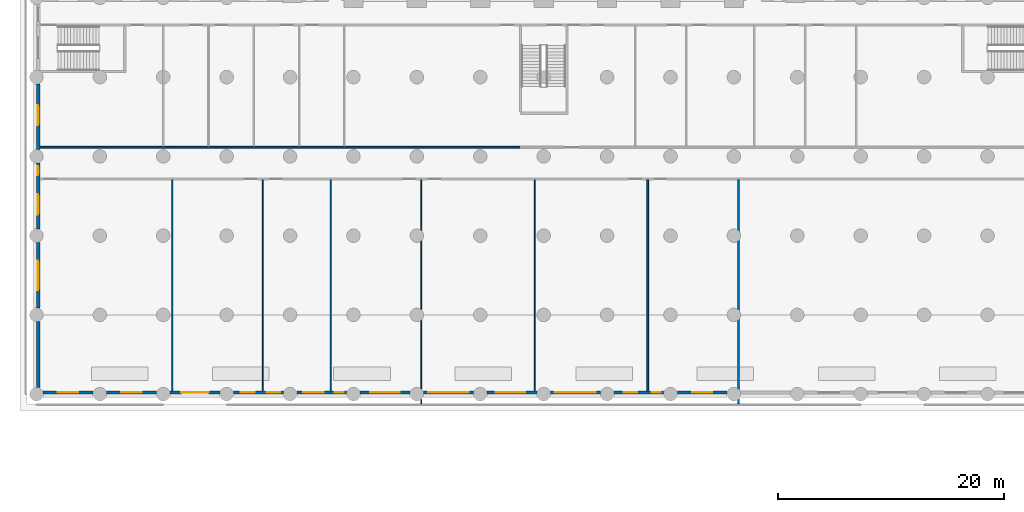
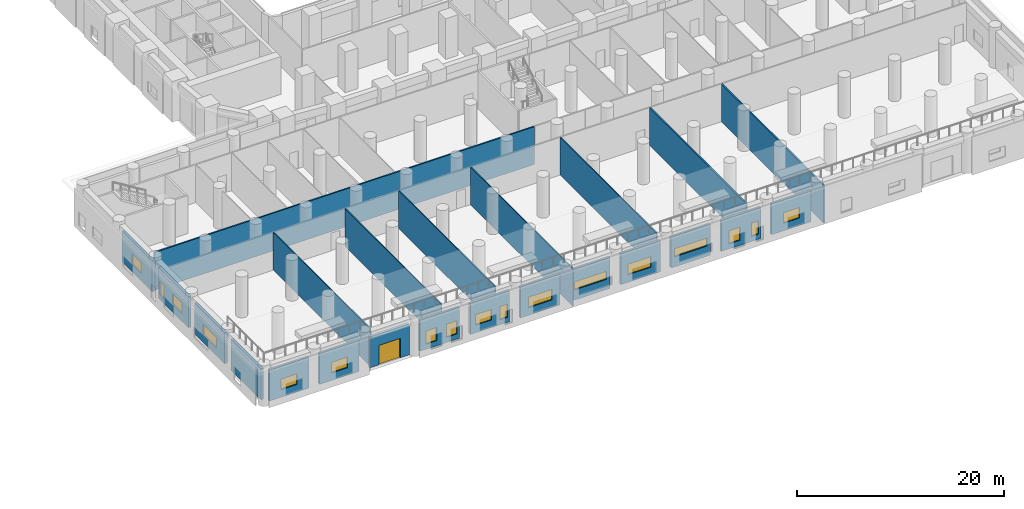
# One storey, part 7 of 27: 23 walls, 17 windows, 1 door, 18 openings.
"""IFC4 building model written with IfcOpenShell, lengths in metres."""

from ifc_helpers import new_model, si_unit, direction, frame, frame_2d, origin, place, context, subcontext, project, spatial, rectangle, extrude, material, layer, layer_set, type_object, element, fill, save


model = new_model("IFC4")

# Units and contexts
model_context = context("Model", 3, precision=1e-05, world=origin(), true_north=direction((0.0, 1.0)))
body_context = subcontext(model_context, "Body", "Model", "MODEL_VIEW")
ifc_project = project(units=[si_unit("LENGTHUNIT", "METRE"), si_unit("AREAUNIT", "SQUARE_METRE"), si_unit("VOLUMEUNIT", "CUBIC_METRE"), si_unit("PLANEANGLEUNIT", "RADIAN"), si_unit("MASSUNIT", "GRAM", prefix="KILO")], contexts=[model_context])

# Site, building, storey
site_placement = place(None, origin())
site = spatial("IfcSite", under=ifc_project, at=site_placement, CompositionType="ELEMENT")
building_placement = place(site_placement, origin())
building = spatial("IfcBuilding", under=site, at=building_placement, Name="Kiln Ring Residences", CompositionType="ELEMENT")
storey_placement = place(building_placement, frame((0.0, 0.0, 6.5)))
storey = spatial("IfcBuildingStorey", under=building, at=storey_placement, Name="L01", CompositionType="ELEMENT", Elevation=6.5)

# Wall, opening, window
ifc_material_1 = material(Name="Brick masonry, dark clay brick", Category="masonry")
ifc_layer_1 = layer(ifc_material_1, 0.300048828125)
ifc_layer_set_1 = layer_set([ifc_layer_1], Name="EW-300 BRICK WALL")
wall_type_1 = type_object("IfcWallType", Name="EW-300 BRICK WALL", PredefinedType="SOLIDWALL", material=ifc_layer_set_1)
wall_1_placement = place(storey_placement, frame((-44.64990234375, -30.0, 0.0), z_axis=(0.0, 0.0, 1.0), x_axis=(0.0, -1.0, 0.0)))
wall_1 = element("IfcWall", 1, at=wall_1_placement, inside=storey, type_object=wall_type_1, Name="Facade wall L01 57", PredefinedType="SOLIDWALL", context=body_context, shape_type="SweptSolid", body=[
    extrude(rectangle(XDim=5.800048828125, YDim=0.300048828125, at=frame_2d((2.89990234375, 0.0))), origin(), (0.0, 0.0, 1.0), 3.64990234375),
])
opening_1_placement = place(wall_1_placement, frame((1.862548828125, 0.0, 0.89990234375)))
opening_1 = element("IfcOpeningElement", 2, at=opening_1_placement, cuts=wall_1, Name="Opening W2", PredefinedType="OPENING", context=body_context, shape_type="SweptSolid", body=[
    extrude(rectangle(XDim=1.800048828125, YDim=1.25, at=frame_2d((0.89990234375, 0.625))), frame((0.0, 0.159912109375, 0.0), z_axis=(0.0, -1.0, 0.0), x_axis=(1.0, 0.0, 0.0)), (0.0, 0.0, 1.0), 0.320068359375),
])
ifc_material_2 = material(Name="Aluminium frame with double glazing", Category="aluminium")
window_type_1 = type_object("IfcWindowType", Name="WINDOW 1800 x 1250", PartitioningType="SINGLE_PANEL", PredefinedType="WINDOW", material=ifc_material_2)
window_1_placement = place(opening_1_placement, origin())
window_1 = element("IfcWindow", 3, at=window_1_placement, inside=storey, type_object=window_type_1, Name="Window L01 29", OverallHeight=1.25, OverallWidth=1.800048828125, PartitioningType="SINGLE_PANEL", PredefinedType="WINDOW", context=body_context, shape_type="SweptSolid", body=[
    extrude(rectangle(XDim=1.800048828125, YDim=1.25, at=frame_2d((0.89990234375, 0.625))), frame((0.0, 0.030029296875, 0.0), z_axis=(0.0, -1.0, 0.0), x_axis=(1.0, 0.0, 0.0)), (0.0, 0.0, 1.0), 0.06005859375),
])
fill(opening_1, window_1)

# Wall, openings, windows
wall_2_placement = place(storey_placement, frame((-44.64990234375, -37.0, 0.0), z_axis=(0.0, 0.0, 1.0), x_axis=(0.0, -1.0, 0.0)))
wall_2 = element("IfcWall", 4, at=wall_2_placement, inside=storey, type_object=wall_type_1, Name="Facade wall L01 58", PredefinedType="SOLIDWALL", context=body_context, shape_type="SweptSolid", body=[
    extrude(rectangle(XDim=5.800048828125, YDim=0.300048828125, at=frame_2d((2.89990234375, 0.0))), origin(), (0.0, 0.0, 1.0), 3.64990234375),
])
opening_2_placement = place(wall_2_placement, frame((0.262451171875, 0.0, 0.60009765625)))
opening_2 = element("IfcOpeningElement", 5, at=opening_2_placement, cuts=wall_2, Name="Opening W5", PredefinedType="OPENING", context=body_context, shape_type="SweptSolid", body=[
    extrude(rectangle(XDim=0.800048828125, YDim=1.550048828125, at=frame_2d((0.39990234375, 0.77490234375))), frame((0.0, 0.159912109375, 0.0), z_axis=(0.0, -1.0, 0.0), x_axis=(1.0, 0.0, 0.0)), (0.0, 0.0, 1.0), 0.320068359375),
])
opening_3_placement = place(wall_2_placement, frame((2.737548828125, 0.0, 0.89990234375)))
opening_3 = element("IfcOpeningElement", 6, at=opening_3_placement, cuts=wall_2, Name="Opening W2", PredefinedType="OPENING", context=body_context, shape_type="SweptSolid", body=[
    extrude(rectangle(XDim=1.800048828125, YDim=1.25, at=frame_2d((0.89990234375, 0.625))), frame((0.0, 0.159912109375, 0.0), z_axis=(0.0, -1.0, 0.0), x_axis=(1.0, 0.0, 0.0)), (0.0, 0.0, 1.0), 0.320068359375),
])
window_2_placement = place(opening_3_placement, origin())
window_2 = element("IfcWindow", 7, at=window_2_placement, inside=storey, type_object=window_type_1, Name="Window L01 31", OverallHeight=1.25, OverallWidth=1.800048828125, PartitioningType="SINGLE_PANEL", PredefinedType="WINDOW", context=body_context, shape_type="SweptSolid", body=[
    extrude(rectangle(XDim=1.800048828125, YDim=1.25, at=frame_2d((0.89990234375, 0.625))), frame((0.0, 0.030029296875, 0.0), z_axis=(0.0, -1.0, 0.0), x_axis=(1.0, 0.0, 0.0)), (0.0, 0.0, 1.0), 0.06005859375),
])
fill(opening_3, window_2)
ifc_material_3 = material(Name="Aluminium frame with double glazing", Category="aluminium")
window_type_2 = type_object("IfcWindowType", Name="WINDOW 800 x 1550", PartitioningType="SINGLE_PANEL", PredefinedType="WINDOW", material=ifc_material_3)
window_3_placement = place(opening_2_placement, origin())
window_3 = element("IfcWindow", 8, at=window_3_placement, inside=storey, type_object=window_type_2, Name="Window L01 30", OverallHeight=1.550048828125, OverallWidth=0.800048828125, PartitioningType="SINGLE_PANEL", PredefinedType="WINDOW", context=body_context, shape_type="SweptSolid", body=[
    extrude(rectangle(XDim=0.800048828125, YDim=1.550048828125, at=frame_2d((0.39990234375, 0.77490234375))), frame((0.0, 0.030029296875, 0.0), z_axis=(0.0, -1.0, 0.0), x_axis=(1.0, 0.0, 0.0)), (0.0, 0.0, 1.0), 0.06005859375),
])
fill(opening_2, window_3)

# Wall, opening, window
wall_3_placement = place(storey_placement, frame((-44.64990234375, -44.0, 0.0), z_axis=(0.0, 0.0, 1.0), x_axis=(0.0, -1.0, 0.0)))
wall_3 = element("IfcWall", 9, at=wall_3_placement, inside=storey, type_object=wall_type_1, Name="Facade wall L01 59", PredefinedType="SOLIDWALL", context=body_context, shape_type="SweptSolid", body=[
    extrude(rectangle(XDim=5.800048828125, YDim=0.300048828125, at=frame_2d((2.89990234375, 0.0))), origin(), (0.0, 0.0, 1.0), 3.64990234375),
])
opening_4_placement = place(wall_3_placement, frame((1.60009765625, 0.0, 0.89990234375)))
opening_4 = element("IfcOpeningElement", 10, at=opening_4_placement, cuts=wall_3, Name="Opening W3", PredefinedType="OPENING", context=body_context, shape_type="SweptSolid", body=[
    extrude(rectangle(XDim=2.60009765625, YDim=1.25, at=frame_2d((1.300048828125, 0.625))), frame((0.0, 0.159912109375, 0.0), z_axis=(0.0, -1.0, 0.0), x_axis=(1.0, 0.0, 0.0)), (0.0, 0.0, 1.0), 0.320068359375),
])
ifc_material_4 = material(Name="Aluminium frame with double glazing", Category="aluminium")
window_type_3 = type_object("IfcWindowType", Name="WINDOW 2600 x 1250", PartitioningType="SINGLE_PANEL", PredefinedType="WINDOW", material=ifc_material_4)
window_4_placement = place(opening_4_placement, origin())
window_4 = element("IfcWindow", 11, at=window_4_placement, inside=storey, type_object=window_type_3, Name="Window L01 32", OverallHeight=1.25, OverallWidth=2.60009765625, PartitioningType="SINGLE_PANEL", PredefinedType="WINDOW", context=body_context, shape_type="SweptSolid", body=[
    extrude(rectangle(XDim=2.60009765625, YDim=1.25, at=frame_2d((1.300048828125, 0.625))), frame((0.0, 0.030029296875, 0.0), z_axis=(0.0, -1.0, 0.0), x_axis=(1.0, 0.0, 0.0)), (0.0, 0.0, 1.0), 0.06005859375),
])
fill(opening_4, window_4)

# Wall
wall_4_placement = place(storey_placement, frame((-44.64990234375, -51.0, 0.0), z_axis=(0.0, 0.0, 1.0), x_axis=(0.0, -1.0, 0.0)))
element("IfcWall", 12, at=wall_4_placement, inside=storey, type_object=wall_type_1, Name="Facade wall L01 60", PredefinedType="SOLIDWALL", context=body_context, shape_type="SweptSolid", body=[
    extrude(rectangle(XDim=5.800048828125, YDim=0.300048828125, at=frame_2d((2.89990234375, 0.0))), origin(), (0.0, 0.0, 1.0), 3.64990234375),
])

# Wall, opening, window
wall_5_placement = place(storey_placement, frame((-44.199951171875, -57.25, 0.0), z_axis=(0.0, 0.0, 1.0), x_axis=(1.0, 0.0, 0.0)))
wall_5 = element("IfcWall", 13, at=wall_5_placement, inside=storey, type_object=wall_type_1, Name="Facade wall L01 61", PredefinedType="SOLIDWALL", context=body_context, shape_type="SweptSolid", body=[
    extrude(rectangle(XDim=4.39990234375, YDim=0.300048828125, at=frame_2d((2.199951171875, 0.0))), origin(), (0.0, 0.0, 1.0), 3.64990234375),
])
opening_5_placement = place(wall_5_placement, frame((1.300048828125, 0.0, 0.89990234375)))
opening_5 = element("IfcOpeningElement", 14, at=opening_5_placement, cuts=wall_5, Name="Opening W2", PredefinedType="OPENING", context=body_context, shape_type="SweptSolid", body=[
    extrude(rectangle(XDim=1.800048828125, YDim=1.25, at=frame_2d((0.89990234375, 0.625))), frame((0.0, 0.159912109375, 0.0), z_axis=(0.0, -1.0, 0.0), x_axis=(1.0, 0.0, 0.0)), (0.0, 0.0, 1.0), 0.320068359375),
])
window_5_placement = place(opening_5_placement, origin())
window_5 = element("IfcWindow", 15, at=window_5_placement, inside=storey, type_object=window_type_1, Name="Window L01 33", OverallHeight=1.25, OverallWidth=1.800048828125, PartitioningType="SINGLE_PANEL", PredefinedType="WINDOW", context=body_context, shape_type="SweptSolid", body=[
    extrude(rectangle(XDim=1.800048828125, YDim=1.25, at=frame_2d((0.89990234375, 0.625))), frame((0.0, 0.030029296875, 0.0), z_axis=(0.0, -1.0, 0.0), x_axis=(1.0, 0.0, 0.0)), (0.0, 0.0, 1.0), 0.06005859375),
])
fill(opening_5, window_5)

wall_6_placement = place(storey_placement, frame((-38.60009765625, -57.25, 0.0), z_axis=(0.0, 0.0, 1.0), x_axis=(1.0, 0.0, 0.0)))
wall_6 = element("IfcWall", 16, at=wall_6_placement, inside=storey, type_object=wall_type_1, Name="Facade wall L01 62", PredefinedType="SOLIDWALL", context=body_context, shape_type="SweptSolid", body=[
    extrude(rectangle(XDim=4.400146484375, YDim=0.300048828125, at=frame_2d((2.2001953125, 0.0))), origin(), (0.0, 0.0, 1.0), 3.64990234375),
])
opening_6_placement = place(wall_6_placement, frame((1.300048828125, 0.0, 0.89990234375)))
opening_6 = element("IfcOpeningElement", 17, at=opening_6_placement, cuts=wall_6, Name="Opening W2", PredefinedType="OPENING", context=body_context, shape_type="SweptSolid", body=[
    extrude(rectangle(XDim=1.800048828125, YDim=1.25, at=frame_2d((0.89990234375, 0.625))), frame((0.0, 0.159912109375, 0.0), z_axis=(0.0, -1.0, 0.0), x_axis=(1.0, 0.0, 0.0)), (0.0, 0.0, 1.0), 0.320068359375),
])
window_6_placement = place(opening_6_placement, origin())
window_6 = element("IfcWindow", 18, at=window_6_placement, inside=storey, type_object=window_type_1, Name="Window L01 34", OverallHeight=1.25, OverallWidth=1.800048828125, PartitioningType="SINGLE_PANEL", PredefinedType="WINDOW", context=body_context, shape_type="SweptSolid", body=[
    extrude(rectangle(XDim=1.800048828125, YDim=1.25, at=frame_2d((0.89990234375, 0.625))), frame((0.0, 0.030029296875, 0.0), z_axis=(0.0, -1.0, 0.0), x_axis=(1.0, 0.0, 0.0)), (0.0, 0.0, 1.0), 0.06005859375),
])
fill(opening_6, window_6)

# Wall, opening, door
wall_7_placement = place(storey_placement, frame((-33.0, -57.25, 0.0), z_axis=(0.0, 0.0, 1.0), x_axis=(1.0, 0.0, 0.0)))
wall_7 = element("IfcWall", 19, at=wall_7_placement, inside=storey, type_object=wall_type_1, Name="Facade wall L01 63", PredefinedType="SOLIDWALL", context=body_context, shape_type="SweptSolid", body=[
    extrude(rectangle(XDim=4.39990234375, YDim=0.300048828125, at=frame_2d((2.199951171875, 0.0))), origin(), (0.0, 0.0, 1.0), 3.64990234375),
])
opening_7_placement = place(wall_7_placement, frame((1.0, 0.0, 0.0)))
opening_7 = element("IfcOpeningElement", 20, at=opening_7_placement, cuts=wall_7, Name="Opening EL01-1", PredefinedType="OPENING", context=body_context, shape_type="SweptSolid", body=[
    extrude(rectangle(XDim=2.39990234375, YDim=2.300048828125, at=frame_2d((1.199951171875, 1.14990234375))), frame((0.0, 0.159912109375, 0.0), z_axis=(0.0, -1.0, 0.0), x_axis=(1.0, 0.0, 0.0)), (0.0, 0.0, 1.0), 0.320068359375),
])
ifc_material_5 = material(Name="Aluminium and glass", Category="aluminium")
door_type = type_object("IfcDoorType", Name="TERRACE DOOR 2400 x 2300", OperationType="DOUBLE_DOOR_SINGLE_SWING", PredefinedType="DOOR", material=ifc_material_5)
door_placement = place(opening_7_placement, origin())
door = element("IfcDoor", 21, at=door_placement, inside=storey, type_object=door_type, Name="Terrace door EL01-1", OperationType="SINGLE_SWING_LEFT", OverallHeight=2.300048828125, OverallWidth=2.39990234375, PredefinedType="DOOR", context=body_context, shape_type="SweptSolid", body=[
    extrude(rectangle(XDim=2.39990234375, YDim=2.300048828125, at=frame_2d((1.199951171875, 1.14990234375))), frame((0.0, 0.02490234375, 0.0), z_axis=(0.0, -1.0, 0.0), x_axis=(1.0, 0.0, 0.0)), (0.0, 0.0, 1.0), 0.050048828125),
])
fill(opening_7, door)

# Wall, openings, windows
wall_8_placement = place(storey_placement, frame((-27.39990234375, -57.25, 0.0), z_axis=(0.0, 0.0, 1.0), x_axis=(1.0, 0.0, 0.0)))
wall_8 = element("IfcWall", 22, at=wall_8_placement, inside=storey, type_object=wall_type_1, Name="Facade wall L01 64", PredefinedType="SOLIDWALL", context=body_context, shape_type="SweptSolid", body=[
    extrude(rectangle(XDim=4.39990234375, YDim=0.300048828125, at=frame_2d((2.199951171875, 0.0))), origin(), (0.0, 0.0, 1.0), 3.64990234375),
])
opening_8_placement = place(wall_8_placement, frame((0.66259765625, 0.0, 0.60009765625)))
opening_8 = element("IfcOpeningElement", 23, at=opening_8_placement, cuts=wall_8, Name="Opening W1", PredefinedType="OPENING", context=body_context, shape_type="SweptSolid", body=[
    extrude(rectangle(XDim=1.199951171875, YDim=1.550048828125, at=frame_2d((0.60009765625, 0.77490234375))), frame((0.0, 0.159912109375, 0.0), z_axis=(0.0, -1.0, 0.0), x_axis=(1.0, 0.0, 0.0)), (0.0, 0.0, 1.0), 0.320068359375),
])
opening_9_placement = place(wall_8_placement, frame((2.9375, 0.0, 0.60009765625)))
opening_9 = element("IfcOpeningElement", 24, at=opening_9_placement, cuts=wall_8, Name="Opening W1", PredefinedType="OPENING", context=body_context, shape_type="SweptSolid", body=[
    extrude(rectangle(XDim=1.199951171875, YDim=1.550048828125, at=frame_2d((0.60009765625, 0.77490234375))), frame((0.0, 0.159912109375, 0.0), z_axis=(0.0, -1.0, 0.0), x_axis=(1.0, 0.0, 0.0)), (0.0, 0.0, 1.0), 0.320068359375),
])
ifc_material_6 = material(Name="Aluminium frame with double glazing", Category="aluminium")
window_type_4 = type_object("IfcWindowType", Name="WINDOW 1200 x 1550", PartitioningType="SINGLE_PANEL", PredefinedType="WINDOW", material=ifc_material_6)
window_7_placement = place(opening_8_placement, origin())
window_7 = element("IfcWindow", 25, at=window_7_placement, inside=storey, type_object=window_type_4, Name="Window L01 35", OverallHeight=1.550048828125, OverallWidth=1.199951171875, PartitioningType="SINGLE_PANEL", PredefinedType="WINDOW", context=body_context, shape_type="SweptSolid", body=[
    extrude(rectangle(XDim=1.199951171875, YDim=1.550048828125, at=frame_2d((0.60009765625, 0.77490234375))), frame((0.0, 0.030029296875, 0.0), z_axis=(0.0, -1.0, 0.0), x_axis=(1.0, 0.0, 0.0)), (0.0, 0.0, 1.0), 0.06005859375),
])
fill(opening_8, window_7)
window_8_placement = place(opening_9_placement, origin())
window_8 = element("IfcWindow", 26, at=window_8_placement, inside=storey, type_object=window_type_4, Name="Window L01 36", OverallHeight=1.550048828125, OverallWidth=1.199951171875, PartitioningType="SINGLE_PANEL", PredefinedType="WINDOW", context=body_context, shape_type="SweptSolid", body=[
    extrude(rectangle(XDim=1.199951171875, YDim=1.550048828125, at=frame_2d((0.60009765625, 0.77490234375))), frame((0.0, 0.030029296875, 0.0), z_axis=(0.0, -1.0, 0.0), x_axis=(1.0, 0.0, 0.0)), (0.0, 0.0, 1.0), 0.06005859375),
])
fill(opening_9, window_8)

wall_9_placement = place(storey_placement, frame((-21.800048828125, -57.25, 0.0), z_axis=(0.0, 0.0, 1.0), x_axis=(1.0, 0.0, 0.0)))
wall_9 = element("IfcWall", 27, at=wall_9_placement, inside=storey, type_object=wall_type_1, Name="Facade wall L01 65", PredefinedType="SOLIDWALL", context=body_context, shape_type="SweptSolid", body=[
    extrude(rectangle(XDim=4.400146484375, YDim=0.300048828125, at=frame_2d((2.2001953125, 0.0))), origin(), (0.0, 0.0, 1.0), 3.64990234375),
])
opening_10_placement = place(wall_9_placement, frame((0.5625, 0.0, 0.89990234375)))
opening_10 = element("IfcOpeningElement", 28, at=opening_10_placement, cuts=wall_9, Name="Opening W2", PredefinedType="OPENING", context=body_context, shape_type="SweptSolid", body=[
    extrude(rectangle(XDim=1.800048828125, YDim=1.25, at=frame_2d((0.89990234375, 0.625))), frame((0.0, 0.159912109375, 0.0), z_axis=(0.0, -1.0, 0.0), x_axis=(1.0, 0.0, 0.0)), (0.0, 0.0, 1.0), 0.320068359375),
])
opening_11_placement = place(wall_9_placement, frame((3.33740234375, 0.0, 0.60009765625)))
opening_11 = element("IfcOpeningElement", 29, at=opening_11_placement, cuts=wall_9, Name="Opening W5", PredefinedType="OPENING", context=body_context, shape_type="SweptSolid", body=[
    extrude(rectangle(XDim=0.800048828125, YDim=1.550048828125, at=frame_2d((0.39990234375, 0.77490234375))), frame((0.0, 0.159912109375, 0.0), z_axis=(0.0, -1.0, 0.0), x_axis=(1.0, 0.0, 0.0)), (0.0, 0.0, 1.0), 0.320068359375),
])
window_9_placement = place(opening_10_placement, origin())
window_9 = element("IfcWindow", 30, at=window_9_placement, inside=storey, type_object=window_type_1, Name="Window L01 37", OverallHeight=1.25, OverallWidth=1.800048828125, PartitioningType="SINGLE_PANEL", PredefinedType="WINDOW", context=body_context, shape_type="SweptSolid", body=[
    extrude(rectangle(XDim=1.800048828125, YDim=1.25, at=frame_2d((0.89990234375, 0.625))), frame((0.0, 0.030029296875, 0.0), z_axis=(0.0, -1.0, 0.0), x_axis=(1.0, 0.0, 0.0)), (0.0, 0.0, 1.0), 0.06005859375),
])
fill(opening_10, window_9)
window_10_placement = place(opening_11_placement, origin())
window_10 = element("IfcWindow", 31, at=window_10_placement, inside=storey, type_object=window_type_2, Name="Window L01 38", OverallHeight=1.550048828125, OverallWidth=0.800048828125, PartitioningType="SINGLE_PANEL", PredefinedType="WINDOW", context=body_context, shape_type="SweptSolid", body=[
    extrude(rectangle(XDim=0.800048828125, YDim=1.550048828125, at=frame_2d((0.39990234375, 0.77490234375))), frame((0.0, 0.030029296875, 0.0), z_axis=(0.0, -1.0, 0.0), x_axis=(1.0, 0.0, 0.0)), (0.0, 0.0, 1.0), 0.06005859375),
])
fill(opening_11, window_10)

# Wall, opening, window
wall_10_placement = place(storey_placement, frame((-16.199951171875, -57.25, 0.0), z_axis=(0.0, 0.0, 1.0), x_axis=(1.0, 0.0, 0.0)))
wall_10 = element("IfcWall", 32, at=wall_10_placement, inside=storey, type_object=wall_type_1, Name="Facade wall L01 66", PredefinedType="SOLIDWALL", context=body_context, shape_type="SweptSolid", body=[
    extrude(rectangle(XDim=4.39990234375, YDim=0.300048828125, at=frame_2d((2.199951171875, 0.0))), origin(), (0.0, 0.0, 1.0), 3.64990234375),
])
opening_12_placement = place(wall_10_placement, frame((0.89990234375, 0.0, 0.89990234375)))
opening_12 = element("IfcOpeningElement", 33, at=opening_12_placement, cuts=wall_10, Name="Opening W3", PredefinedType="OPENING", context=body_context, shape_type="SweptSolid", body=[
    extrude(rectangle(XDim=2.60009765625, YDim=1.25, at=frame_2d((1.300048828125, 0.625))), frame((0.0, 0.159912109375, 0.0), z_axis=(0.0, -1.0, 0.0), x_axis=(1.0, 0.0, 0.0)), (0.0, 0.0, 1.0), 0.320068359375),
])
window_11_placement = place(opening_12_placement, origin())
window_11 = element("IfcWindow", 34, at=window_11_placement, inside=storey, type_object=window_type_3, Name="Window L01 39", OverallHeight=1.25, OverallWidth=2.60009765625, PartitioningType="SINGLE_PANEL", PredefinedType="WINDOW", context=body_context, shape_type="SweptSolid", body=[
    extrude(rectangle(XDim=2.60009765625, YDim=1.25, at=frame_2d((1.300048828125, 0.625))), frame((0.0, 0.030029296875, 0.0), z_axis=(0.0, -1.0, 0.0), x_axis=(1.0, 0.0, 0.0)), (0.0, 0.0, 1.0), 0.06005859375),
])
fill(opening_12, window_11)

wall_11_placement = place(storey_placement, frame((-10.60009765625, -57.25, 0.0), z_axis=(0.0, 0.0, 1.0), x_axis=(1.0, 0.0, 0.0)))
wall_11 = element("IfcWall", 35, at=wall_11_placement, inside=storey, type_object=wall_type_1, Name="Facade wall L01 67", PredefinedType="SOLIDWALL", context=body_context, shape_type="SweptSolid", body=[
    extrude(rectangle(XDim=4.400146484375, YDim=0.300048828125, at=frame_2d((2.2001953125, 0.0))), origin(), (0.0, 0.0, 1.0), 3.64990234375),
])
opening_13_placement = place(wall_11_placement, frame((0.39990234375, 0.0, 1.199951171875)))
opening_13 = element("IfcOpeningElement", 36, at=opening_13_placement, cuts=wall_11, Name="Opening W4", PredefinedType="OPENING", context=body_context, shape_type="SweptSolid", body=[
    extrude(rectangle(XDim=3.60009765625, YDim=0.949951171875, at=frame_2d((1.800048828125, 0.47509765625))), frame((0.0, 0.159912109375, 0.0), z_axis=(0.0, -1.0, 0.0), x_axis=(1.0, 0.0, 0.0)), (0.0, 0.0, 1.0), 0.320068359375),
])
ifc_material_7 = material(Name="Aluminium frame with double glazing", Category="aluminium")
window_type_5 = type_object("IfcWindowType", Name="WINDOW 3600 x 950", PartitioningType="SINGLE_PANEL", PredefinedType="WINDOW", material=ifc_material_7)
window_12_placement = place(opening_13_placement, origin())
window_12 = element("IfcWindow", 37, at=window_12_placement, inside=storey, type_object=window_type_5, Name="Window L01 40", OverallHeight=0.949951171875, OverallWidth=3.60009765625, PartitioningType="SINGLE_PANEL", PredefinedType="WINDOW", context=body_context, shape_type="SweptSolid", body=[
    extrude(rectangle(XDim=3.60009765625, YDim=0.949951171875, at=frame_2d((1.800048828125, 0.47509765625))), frame((0.0, 0.030029296875, 0.0), z_axis=(0.0, -1.0, 0.0), x_axis=(1.0, 0.0, 0.0)), (0.0, 0.0, 1.0), 0.06005859375),
])
fill(opening_13, window_12)

wall_12_placement = place(storey_placement, frame((-5.0, -57.25, 0.0), z_axis=(0.0, 0.0, 1.0), x_axis=(1.0, 0.0, 0.0)))
wall_12 = element("IfcWall", 38, at=wall_12_placement, inside=storey, type_object=wall_type_1, Name="Facade wall L01 68", PredefinedType="SOLIDWALL", context=body_context, shape_type="SweptSolid", body=[
    extrude(rectangle(XDim=4.39990234375, YDim=0.300048828125, at=frame_2d((2.199951171875, 0.0))), origin(), (0.0, 0.0, 1.0), 3.64990234375),
])
opening_14_placement = place(wall_12_placement, frame((0.762451171875, 0.0, 0.89990234375)))
opening_14 = element("IfcOpeningElement", 39, at=opening_14_placement, cuts=wall_12, Name="Opening W3", PredefinedType="OPENING", context=body_context, shape_type="SweptSolid", body=[
    extrude(rectangle(XDim=2.60009765625, YDim=1.25, at=frame_2d((1.300048828125, 0.625))), frame((0.0, 0.159912109375, 0.0), z_axis=(0.0, -1.0, 0.0), x_axis=(1.0, 0.0, 0.0)), (0.0, 0.0, 1.0), 0.320068359375),
])
window_13_placement = place(opening_14_placement, origin())
window_13 = element("IfcWindow", 40, at=window_13_placement, inside=storey, type_object=window_type_3, Name="Window L01 41", OverallHeight=1.25, OverallWidth=2.60009765625, PartitioningType="SINGLE_PANEL", PredefinedType="WINDOW", context=body_context, shape_type="SweptSolid", body=[
    extrude(rectangle(XDim=2.60009765625, YDim=1.25, at=frame_2d((1.300048828125, 0.625))), frame((0.0, 0.030029296875, 0.0), z_axis=(0.0, -1.0, 0.0), x_axis=(1.0, 0.0, 0.0)), (0.0, 0.0, 1.0), 0.06005859375),
])
fill(opening_14, window_13)

wall_13_placement = place(storey_placement, frame((0.60009765625, -57.25, 0.0), z_axis=(0.0, 0.0, 1.0), x_axis=(1.0, 0.0, 0.0)))
wall_13 = element("IfcWall", 41, at=wall_13_placement, inside=storey, type_object=wall_type_1, Name="Facade wall L01 69", PredefinedType="SOLIDWALL", context=body_context, shape_type="SweptSolid", body=[
    extrude(rectangle(XDim=4.39990234375, YDim=0.300048828125, at=frame_2d((2.199951171875, 0.0))), origin(), (0.0, 0.0, 1.0), 3.64990234375),
])
opening_15_placement = place(wall_13_placement, frame((0.39990234375, 0.0, 1.199951171875)))
opening_15 = element("IfcOpeningElement", 42, at=opening_15_placement, cuts=wall_13, Name="Opening W4", PredefinedType="OPENING", context=body_context, shape_type="SweptSolid", body=[
    extrude(rectangle(XDim=3.60009765625, YDim=0.949951171875, at=frame_2d((1.800048828125, 0.47509765625))), frame((0.0, 0.159912109375, 0.0), z_axis=(0.0, -1.0, 0.0), x_axis=(1.0, 0.0, 0.0)), (0.0, 0.0, 1.0), 0.320068359375),
])
window_14_placement = place(opening_15_placement, origin())
window_14 = element("IfcWindow", 43, at=window_14_placement, inside=storey, type_object=window_type_5, Name="Window L01 42", OverallHeight=0.949951171875, OverallWidth=3.60009765625, PartitioningType="SINGLE_PANEL", PredefinedType="WINDOW", context=body_context, shape_type="SweptSolid", body=[
    extrude(rectangle(XDim=3.60009765625, YDim=0.949951171875, at=frame_2d((1.800048828125, 0.47509765625))), frame((0.0, 0.030029296875, 0.0), z_axis=(0.0, -1.0, 0.0), x_axis=(1.0, 0.0, 0.0)), (0.0, 0.0, 1.0), 0.06005859375),
])
fill(opening_15, window_14)

# Wall, openings, windows
wall_14_placement = place(storey_placement, frame((6.199951171875, -57.25, 0.0), z_axis=(0.0, 0.0, 1.0), x_axis=(1.0, 0.0, 0.0)))
wall_14 = element("IfcWall", 44, at=wall_14_placement, inside=storey, type_object=wall_type_1, Name="Facade wall L01 70", PredefinedType="SOLIDWALL", context=body_context, shape_type="SweptSolid", body=[
    extrude(rectangle(XDim=4.400146484375, YDim=0.300048828125, at=frame_2d((2.2001953125, 0.0))), origin(), (0.0, 0.0, 1.0), 3.64990234375),
])
opening_16_placement = place(wall_14_placement, frame((0.862548828125, 0.0, 0.60009765625)))
opening_16 = element("IfcOpeningElement", 45, at=opening_16_placement, cuts=wall_14, Name="Opening W1", PredefinedType="OPENING", context=body_context, shape_type="SweptSolid", body=[
    extrude(rectangle(XDim=1.199951171875, YDim=1.550048828125, at=frame_2d((0.60009765625, 0.77490234375))), frame((0.0, 0.159912109375, 0.0), z_axis=(0.0, -1.0, 0.0), x_axis=(1.0, 0.0, 0.0)), (0.0, 0.0, 1.0), 0.320068359375),
])
opening_17_placement = place(wall_14_placement, frame((3.33740234375, 0.0, 0.60009765625)))
opening_17 = element("IfcOpeningElement", 46, at=opening_17_placement, cuts=wall_14, Name="Opening W5", PredefinedType="OPENING", context=body_context, shape_type="SweptSolid", body=[
    extrude(rectangle(XDim=0.800048828125, YDim=1.550048828125, at=frame_2d((0.39990234375, 0.77490234375))), frame((0.0, 0.159912109375, 0.0), z_axis=(0.0, -1.0, 0.0), x_axis=(1.0, 0.0, 0.0)), (0.0, 0.0, 1.0), 0.320068359375),
])
window_15_placement = place(opening_16_placement, origin())
window_15 = element("IfcWindow", 47, at=window_15_placement, inside=storey, type_object=window_type_4, Name="Window L01 43", OverallHeight=1.550048828125, OverallWidth=1.199951171875, PartitioningType="SINGLE_PANEL", PredefinedType="WINDOW", context=body_context, shape_type="SweptSolid", body=[
    extrude(rectangle(XDim=1.199951171875, YDim=1.550048828125, at=frame_2d((0.60009765625, 0.77490234375))), frame((0.0, 0.030029296875, 0.0), z_axis=(0.0, -1.0, 0.0), x_axis=(1.0, 0.0, 0.0)), (0.0, 0.0, 1.0), 0.06005859375),
])
fill(opening_16, window_15)
window_16_placement = place(opening_17_placement, origin())
window_16 = element("IfcWindow", 48, at=window_16_placement, inside=storey, type_object=window_type_2, Name="Window L01 44", OverallHeight=1.550048828125, OverallWidth=0.800048828125, PartitioningType="SINGLE_PANEL", PredefinedType="WINDOW", context=body_context, shape_type="SweptSolid", body=[
    extrude(rectangle(XDim=0.800048828125, YDim=1.550048828125, at=frame_2d((0.39990234375, 0.77490234375))), frame((0.0, 0.030029296875, 0.0), z_axis=(0.0, -1.0, 0.0), x_axis=(1.0, 0.0, 0.0)), (0.0, 0.0, 1.0), 0.06005859375),
])
fill(opening_17, window_16)

# Wall, opening, window
wall_15_placement = place(storey_placement, frame((11.800048828125, -57.25, 0.0), z_axis=(0.0, 0.0, 1.0), x_axis=(1.0, 0.0, 0.0)))
wall_15 = element("IfcWall", 49, at=wall_15_placement, inside=storey, type_object=wall_type_1, Name="Facade wall L01 71", PredefinedType="SOLIDWALL", context=body_context, shape_type="SweptSolid", body=[
    extrude(rectangle(XDim=4.39990234375, YDim=0.300048828125, at=frame_2d((2.199951171875, 0.0))), origin(), (0.0, 0.0, 1.0), 3.64990234375),
])
opening_18_placement = place(wall_15_placement, frame((1.300048828125, 0.0, 0.89990234375)))
opening_18 = element("IfcOpeningElement", 50, at=opening_18_placement, cuts=wall_15, Name="Opening W2", PredefinedType="OPENING", context=body_context, shape_type="SweptSolid", body=[
    extrude(rectangle(XDim=1.800048828125, YDim=1.25, at=frame_2d((0.89990234375, 0.625))), frame((0.0, 0.159912109375, 0.0), z_axis=(0.0, -1.0, 0.0), x_axis=(1.0, 0.0, 0.0)), (0.0, 0.0, 1.0), 0.320068359375),
])
window_17_placement = place(opening_18_placement, origin())
window_17 = element("IfcWindow", 51, at=window_17_placement, inside=storey, type_object=window_type_1, Name="Window L01 45", OverallHeight=1.25, OverallWidth=1.800048828125, PartitioningType="SINGLE_PANEL", PredefinedType="WINDOW", context=body_context, shape_type="SweptSolid", body=[
    extrude(rectangle(XDim=1.800048828125, YDim=1.25, at=frame_2d((0.89990234375, 0.625))), frame((0.0, 0.030029296875, 0.0), z_axis=(0.0, -1.0, 0.0), x_axis=(1.0, 0.0, 0.0)), (0.0, 0.0, 1.0), 0.06005859375),
])
fill(opening_18, window_17)

# Walls
ifc_material_8 = material(Name="Gypsum board on steel studs", Category="steel")
ifc_layer_2 = layer(ifc_material_8, 0.10009765625)
ifc_layer_set_2 = layer_set([ifc_layer_2], Name="PARTITION-100")
wall_type_2 = type_object("IfcWallType", Name="PARTITION-100", PredefinedType="PARTITIONING", material=ifc_layer_set_2)
for number, where, z_axis, x_axis, name in (
    (52, (-32.800048828125, -57.080078125, 0.0), (0.0, 0.0, 1.0), (0.0, 1.0, 0.0), "Partition 019"),
    (53, (-24.800048828125, -57.080078125, 0.0), (0.0, 0.0, 1.0), (0.0, 1.0, 0.0), "Partition 022"),
    (54, (-18.800048828125, -57.080078125, 0.0), (0.0, 0.0, 1.0), (0.0, 1.0, 0.0), "Partition 025"),
):
    element("IfcWall", number, at=place(storey_placement, frame(where, z_axis=z_axis, x_axis=x_axis)), inside=storey, type_object=wall_type_2, Name=name, PredefinedType="PARTITIONING", context=body_context, shape_type="SweptSolid", body=[
        extrude(rectangle(XDim=18.60498046875, YDim=0.10009765625, at=frame_2d((9.302490234375, 0.0))), origin(), (0.0, 0.0, 1.0), 4.449951171875),
    ])
wall_16_placement = place(storey_placement, frame((-10.800048828125, -58.22998046875, 0.0), z_axis=(0.0, 0.0, 1.0), x_axis=(0.0, 1.0, 0.0)))
element("IfcWall", 55, at=wall_16_placement, inside=storey, type_object=wall_type_2, Name="Partition 030", PredefinedType="PARTITIONING", context=body_context, shape_type="SweptSolid", body=[
    extrude(rectangle(XDim=19.7548828125, YDim=0.10009765625, at=frame_2d((9.87744140625, 0.0))), origin(), (0.0, 0.0, 1.0), 4.449951171875),
])
wall_17_placement = place(storey_placement, frame((-0.800048828125, -57.080078125, 0.0), z_axis=(0.0, 0.0, 1.0), x_axis=(0.0, 1.0, 0.0)))
element("IfcWall", 56, at=wall_17_placement, inside=storey, type_object=wall_type_2, Name="Partition 032", PredefinedType="PARTITIONING", context=body_context, shape_type="SweptSolid", body=[
    extrude(rectangle(XDim=18.60498046875, YDim=0.10009765625, at=frame_2d((9.302490234375, 0.0))), origin(), (0.0, 0.0, 1.0), 4.449951171875),
])
ifc_material_9 = material(Name="Brick masonry partition", Category="masonry")
ifc_layer_3 = layer(ifc_material_9, 0.14990234375)
ifc_layer_set_3 = layer_set([ifc_layer_3], Name="PARTITION-150-ei60")
wall_type_3 = type_object("IfcWallType", Name="PARTITION-150-ei60", PredefinedType="PARTITIONING", material=ifc_layer_set_3)
wall_18_placement = place(storey_placement, frame((-44.47998046875, -35.60009765625, 0.0), z_axis=(0.0, 0.0, 1.0), x_axis=(1.0, 0.0, 0.0)))
element("IfcWall", 57, at=wall_18_placement, inside=storey, type_object=wall_type_3, Name="Partition 001", PredefinedType="PARTITIONING", context=body_context, shape_type="SweptSolid", body=[
    extrude(rectangle(XDim=42.3798828125, YDim=0.14990234375, at=frame_2d((21.18994140625, 0.0))), origin(), (0.0, 0.0, 1.0), 4.449951171875),
])
wall_19_placement = place(storey_placement, frame((9.199951171875, -57.080078125, 0.0), z_axis=(0.0, 0.0, 1.0), x_axis=(0.0, 1.0, 0.0)))
element("IfcWall", 58, at=wall_19_placement, inside=storey, type_object=wall_type_3, Name="Partition 039", PredefinedType="PARTITIONING", context=body_context, shape_type="SweptSolid", body=[
    extrude(rectangle(XDim=18.60498046875, YDim=0.14990234375, at=frame_2d((9.302490234375, 0.0))), origin(), (0.0, 0.0, 1.0), 4.449951171875),
])
wall_20_placement = place(storey_placement, frame((17.199951171875, -58.22998046875, 0.0), z_axis=(0.0, 0.0, 1.0), x_axis=(0.0, 1.0, 0.0)))
element("IfcWall", 59, at=wall_20_placement, inside=storey, type_object=wall_type_3, Name="Partition 046", PredefinedType="PARTITIONING", context=body_context, shape_type="SweptSolid", body=[
    extrude(rectangle(XDim=19.7548828125, YDim=0.14990234375, at=frame_2d((9.87744140625, 0.0))), origin(), (0.0, 0.0, 1.0), 4.449951171875),
])

save(model, "model.ifc")
